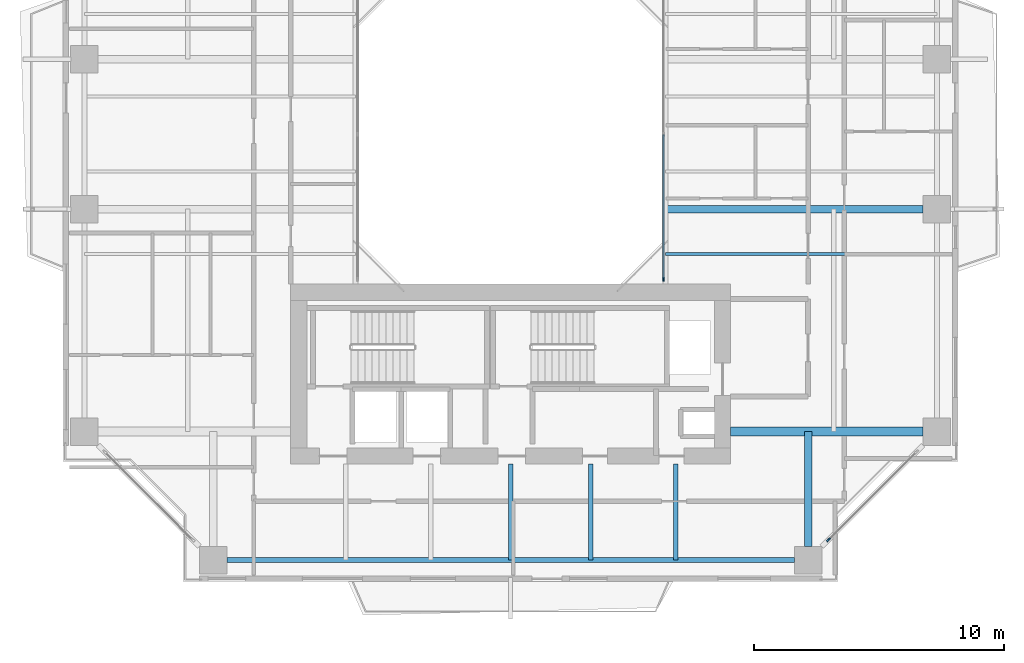
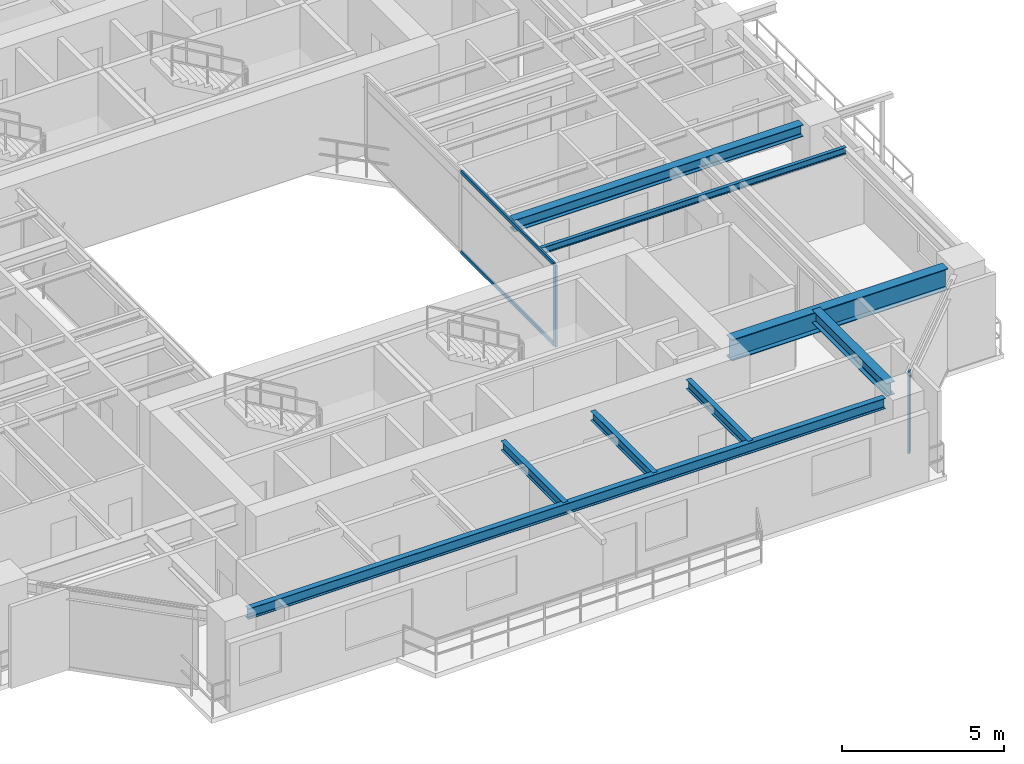
# One storey, part 4 of 17: 8 beams, 4 members, 2 elements without a shape of their own.
"""IFC4 building model written with IfcOpenShell, lengths in metres."""

import ifcopenshell
import ifcopenshell.guid

model = None  # the IFC model being written
_history = None  # IfcOwnerHistory: only IFC2X3 demands one
_inside = {}  # id of a spatial element -> (the spatial element, [elements in it])
_under = {}  # id of a project, library or spatial element -> (it, [spatial elements below it])
_declared = {}  # id of a project -> (the project, [libraries it declares])
_typed = {}  # id of a type object -> (the type object, [elements of that type])
_made_of = {}  # id of a material, layer set ... -> (it, [elements and type objects made of it])


def new_model(schema):
    """Start an empty IFC model of exactly this schema.

    Asked for "IFC4X3", IfcOpenShell would pick the latest addendum, in which some entities
    have other attributes; the version numbers below select the first issue.
    IFC2X3 requires an IfcOwnerHistory on every rooted entity: one is made here for all.
    """
    global model, _history
    if schema == "IFC4X3":
        model = ifcopenshell.file(schema_version=(4, 3, 0, 0))
    else:
        model = ifcopenshell.file(schema=schema)
    _inside.clear()
    _under.clear()
    _declared.clear()
    _typed.clear()
    _made_of.clear()
    _history = None
    if model.schema == "IFC2X3":
        org = make("IfcOrganization", Name="unknown")
        user = make(
            "IfcPersonAndOrganization",
            ThePerson=make("IfcPerson", FamilyName="unknown"),
            TheOrganization=org,
        )
        app = make(
            "IfcApplication",
            ApplicationDeveloper=org,
            Version="unknown",
            ApplicationFullName="unknown",
            ApplicationIdentifier="unknown",
        )
        _history = make(
            "IfcOwnerHistory",
            OwningUser=user,
            OwningApplication=app,
            ChangeAction="ADDED",
            CreationDate=0,
        )
    return model


def make(cls, **values):
    """One entity of the class cls with the attributes given. An attribute that is None is left unset."""
    return model.create_entity(
        cls, **{name: value for name, value in values.items() if value is not None}
    )


def rooted(cls, **values):
    """An entity with a GlobalId (a new one), such as an element, a storey or a relation."""
    return make(cls, GlobalId=ifcopenshell.guid.new(), OwnerHistory=_history, **values)


def si_unit(unit_type, name, prefix=None):
    """IfcSIUnit, for example si_unit("LENGTHUNIT", "METRE", prefix="MILLI")."""
    return make("IfcSIUnit", UnitType=unit_type, Prefix=prefix, Name=name)


def assignment(units):
    """IfcUnitAssignment: the units of a project."""
    return None if units is None else make("IfcUnitAssignment", Units=units)


def point(xyz):
    """IfcCartesianPoint."""
    return None if xyz is None else make("IfcCartesianPoint", Coordinates=xyz)


def direction(xyz):
    """IfcDirection."""
    return None if xyz is None else make("IfcDirection", DirectionRatios=xyz)


def frame(location, z_axis=None, x_axis=None):
    """IfcAxis2Placement3D, a coordinate frame: its origin and axes. An axis left out is left unset."""
    return make(
        "IfcAxis2Placement3D",
        Location=point(location),
        Axis=direction(z_axis),
        RefDirection=direction(x_axis),
    )


def frame_2d(location, x_axis=None):
    """IfcAxis2Placement2D, a coordinate frame in the plane: its origin and x axis."""
    return make(
        "IfcAxis2Placement2D", Location=point(location), RefDirection=direction(x_axis)
    )


def origin():
    """The frame at (0, 0, 0) with its axes left unset."""
    return frame((0.0, 0.0, 0.0))


def origin_2d():
    """The frame at (0, 0) in the plane with its x axis left unset."""
    return frame_2d((0.0, 0.0))


def place(relative_to, where):
    """IfcLocalPlacement: puts the frame where relative to a parent placement (None: the world)."""
    return make(
        "IfcLocalPlacement", PlacementRelTo=relative_to, RelativePlacement=where
    )


def context(
    kind, dimensions, precision=None, world=None, true_north=None, identifier=None
):
    """IfcGeometricRepresentationContext, for example the 3D "Model" context."""
    return make(
        "IfcGeometricRepresentationContext",
        ContextIdentifier=identifier,
        ContextType=kind,
        CoordinateSpaceDimension=dimensions,
        Precision=precision,
        WorldCoordinateSystem=world,
        TrueNorth=true_north,
    )


def subcontext(parent, identifier, kind, view, scale=None):
    """IfcGeometricRepresentationSubContext, for example "Body" below "Model"."""
    return make(
        "IfcGeometricRepresentationSubContext",
        ContextIdentifier=identifier,
        ContextType=kind,
        ParentContext=parent,
        TargetScale=scale,
        TargetView=view,
    )


def project(units=None, contexts=None):
    """IfcProject with its units and contexts."""
    return rooted(
        "IfcProject",
        Name="project",
        RepresentationContexts=contexts,
        UnitsInContext=assignment(units),
    )


def spatial(cls, under=None, at=None, **own):
    """A site, building, storey or space (cls), placed at a placement, below another one or the project."""
    s = rooted(cls, ObjectPlacement=at, **own)
    if under is not None:
        _under.setdefault(under.id(), (under, []))[1].append(s)
    return s


def profile(cls, at=None, kind="AREA", **sizes):
    """A parametric profile (cls). Its sizes go by their IFC names, for example OverallWidth=200.0."""
    return make(cls, ProfileType=kind, Position=at, **sizes)


def rectangle(**sizes):
    """IfcRectangleProfileDef."""
    return profile("IfcRectangleProfileDef", **sizes)


def i_section(**sizes):
    """IfcIShapeProfileDef."""
    return profile("IfcIShapeProfileDef", **sizes)


def extrude(swept, where, along, depth):
    """IfcExtrudedAreaSolid: the profile swept, set in the frame where, extruded along a direction by depth."""
    return make(
        "IfcExtrudedAreaSolid",
        SweptArea=swept,
        Position=where,
        ExtrudedDirection=direction(along),
        Depth=depth,
    )


def shape(context_of_items, identifier, shape_type, items):
    """IfcShapeRepresentation: the items that make up one representation, for example the "Body"."""
    return make(
        "IfcShapeRepresentation",
        ContextOfItems=context_of_items,
        RepresentationIdentifier=identifier,
        RepresentationType=shape_type,
        Items=items,
    )


def source(mapping_origin, context_of_items, identifier, shape_type, items):
    """IfcRepresentationMap: a shape defined once, which mapped items show again and again."""
    return make(
        "IfcRepresentationMap",
        MappingOrigin=mapping_origin,
        MappedRepresentation=shape(context_of_items, identifier, shape_type, items),
    )


def transform(
    local_origin,
    x_axis=None,
    y_axis=None,
    z_axis=None,
    scale=None,
    scale2=None,
    scale3=None,
    uniform=True,
):
    """IfcCartesianTransformationOperator3D, or its non-uniform kind. x_axis, y_axis, z_axis: its Axis1, 2, 3."""
    if uniform:
        return make(
            "IfcCartesianTransformationOperator3D",
            Axis1=direction(x_axis),
            Axis2=direction(y_axis),
            LocalOrigin=point(local_origin),
            Scale=scale,
            Axis3=direction(z_axis),
        )
    return make(
        "IfcCartesianTransformationOperator3DnonUniform",
        Axis1=direction(x_axis),
        Axis2=direction(y_axis),
        LocalOrigin=point(local_origin),
        Scale=scale,
        Axis3=direction(z_axis),
        Scale2=scale2,
        Scale3=scale3,
    )


def mapped(mapping_source, mapping_target):
    """IfcMappedItem: shows the shape of a source again, moved by a transform."""
    return make(
        "IfcMappedItem", MappingSource=mapping_source, MappingTarget=mapping_target
    )


def material(Name=None, Category=None):
    """IfcMaterial."""
    return make("IfcMaterial", Name=Name, Category=Category)


def layer(
    of_material, thickness, ventilated=None, Name=None, Category=None, Priority=None
):
    """IfcMaterialLayer: one layer of a wall or slab, of a material (None: an air gap)."""
    return make(
        "IfcMaterialLayer",
        Material=of_material,
        LayerThickness=thickness,
        IsVentilated=ventilated,
        Name=Name,
        Category=Category,
        Priority=Priority,
    )


def layer_set(layers, Name=None):
    """IfcMaterialLayerSet."""
    return make("IfcMaterialLayerSet", MaterialLayers=layers, LayerSetName=Name)


def material_profile(
    of_material, cross_section, Name=None, Category=None, Priority=None
):
    """IfcMaterialProfile: a cross section and its material."""
    return make(
        "IfcMaterialProfile",
        Name=Name,
        Material=of_material,
        Profile=cross_section,
        Priority=Priority,
        Category=Category,
    )


def profile_set(profiles, Name=None, composite=None):
    """IfcMaterialProfileSet."""
    return make(
        "IfcMaterialProfileSet",
        Name=Name,
        MaterialProfiles=profiles,
        CompositeProfile=composite,
    )


def made_of(thing, what):
    """Note that an element or type object is made of a material, layer set ...; save() writes the relation."""
    if what is not None:
        _made_of.setdefault(what.id(), (what, []))[1].append(thing)
    return thing


def type_object(cls, material=None, **own):
    """A type object (cls), such as IfcWallType, which elements share."""
    return made_of(rooted(cls, **own), material)


def element(
    cls,
    number,
    at=None,
    inside=None,
    cuts=None,
    type_object=None,
    material=None,
    context=None,
    identifier="Body",
    shape_type=None,
    held_by="IfcProductDefinitionShape",
    body=None,
    shapes=None,
    **own,
):
    """One element of the class cls, such as IfcWall. Its Tag is "e" and its number.

    at: its placement. inside: the storey or other place that contains it. cuts: it is an
    opening in that element (IfcRelVoidsElement). A single representation is given by context,
    identifier, shape_type and body (its items); several are given by shapes. held_by: the class
    of the entity that holds the representations. save() writes the other relations.
    """
    e = rooted(cls, Tag="e%d" % number, ObjectPlacement=at, **own)
    if body is not None:
        shapes = [shape(context, identifier, shape_type, body)]
    if shapes is not None:
        e.Representation = make(held_by, Representations=shapes)
    if inside is not None:
        _inside.setdefault(inside.id(), (inside, []))[1].append(e)
    if cuts is not None:
        rooted(
            "IfcRelVoidsElement", RelatingBuildingElement=cuts, RelatedOpeningElement=e
        )
    if type_object is not None:
        _typed.setdefault(type_object.id(), (type_object, []))[1].append(e)
    return made_of(e, material)


def aggregate(whole, parts):
    """IfcRelAggregates: a whole, such as a stair, and the parts it consists of."""
    return rooted("IfcRelAggregates", RelatingObject=whole, RelatedObjects=parts)


def save(model, path):
    """Write the relations noted so far, then the file.

    IfcRelAggregates (storeys below a building ...), IfcRelContainedInSpatialStructure (elements
    in a storey), IfcRelDefinesByType, IfcRelAssociatesMaterial and IfcRelDeclares: one each for
    every whole, place, type object, material and project.
    """
    for whole, parts in _under.values():
        aggregate(whole, parts)
    for where, things in _inside.values():
        rooted(
            "IfcRelContainedInSpatialStructure",
            RelatedElements=things,
            RelatingStructure=where,
        )
    for kind, things in _typed.values():
        rooted("IfcRelDefinesByType", RelatedObjects=things, RelatingType=kind)
    for what, things in _made_of.values():
        rooted("IfcRelAssociatesMaterial", RelatedObjects=things, RelatingMaterial=what)
    for by, libraries in _declared.values():
        rooted("IfcRelDeclares", RelatingContext=by, RelatedDefinitions=libraries)
    model.write(path)


model = new_model("IFC4")

# Units and contexts
model_context = context("Model", 3, precision=1e-05, world=origin(), true_north=direction((0.0, 1.0)))
body_context = subcontext(model_context, "Body", "Model", "MODEL_VIEW")
ifc_project = project(units=[si_unit("LENGTHUNIT", "METRE"), si_unit("AREAUNIT", "SQUARE_METRE"), si_unit("VOLUMEUNIT", "CUBIC_METRE"), si_unit("PLANEANGLEUNIT", "RADIAN"), si_unit("MASSUNIT", "GRAM", prefix="KILO"), si_unit("THERMODYNAMICTEMPERATUREUNIT", "KELVIN"), si_unit("POWERUNIT", "WATT")], contexts=[model_context])

# Site, building, storey
site_placement = place(None, origin())
site = spatial("IfcSite", under=ifc_project, at=site_placement, CompositionType="ELEMENT")
building_placement = place(site_placement, origin())
building = spatial("IfcBuilding", under=site, at=building_placement, Name="Qiaomeng Ring Towers", CompositionType="ELEMENT")
storey_placement = place(building_placement, frame((0.0, 0.0, 126.25)))
storey = spatial("IfcBuildingStorey", under=building, at=storey_placement, Name="L36", CompositionType="ELEMENT", Elevation=126.25)

# Beams
ifc_material_1 = material(Name="Steel Q355B", Category="steel")
ifc_material_profile_1 = material_profile(ifc_material_1, i_section(OverallWidth=0.199951171875, OverallDepth=0.39990234375, WebThickness=0.008056640625, FlangeThickness=0.012939453125, FilletRadius=0.01611328125, at=origin_2d()), Name="HN 400x200x8x13")
ifc_profile_set_1 = profile_set([ifc_material_profile_1], Name="Steel Q355B")
beam_type_1 = type_object("IfcBeamType", Name="STR-BM-HN400", PredefinedType="SPANDREL", material=ifc_profile_set_1)
shared_shape_1 = source(origin(), body_context, "Body", "SweptSolid", [
    extrude(i_section(OverallWidth=0.199951171875, OverallDepth=0.39990234375, WebThickness=0.008056640625, FlangeThickness=0.012939453125, FilletRadius=0.01611328125, at=origin_2d()), origin(), (0.0, 0.0, 1.0), 22.7021484375),
])
beam_1_placement = place(storey_placement, frame((7.64892578125, 5.949951171875, 2.8701171875), z_axis=(1.0, 0.0, 0.0), x_axis=(0.0, 1.0, 0.0)))
element("IfcBeam", 1, at=beam_1_placement, inside=storey, type_object=beam_type_1, Name="L36 beam STR-SP-L36-T1-S1-S2", PredefinedType="SPANDREL", context=body_context, shape_type="MappedRepresentation", body=[
    mapped(shared_shape_1, transform((0.0, 0.0, 0.0), x_axis=(1.0, 0.0, 0.0), y_axis=(0.0, 1.0, 0.0), z_axis=(0.0, 0.0, 1.0), scale=1.0)),
])
ifc_material_2 = material(Name="Steel Q390GJC", Category="steel")
ifc_material_profile_2 = material_profile(ifc_material_2, i_section(OverallWidth=0.35009765625, OverallDepth=0.800048828125, WebThickness=0.01611328125, FlangeThickness=0.028076171875, at=origin_2d()), Name="WH 800x350x16x28")
ifc_profile_set_2 = profile_set([ifc_material_profile_2], Name="Steel Q390GJC")
beam_type_2 = type_object("IfcBeamType", Name="STR-BM-WH800", PredefinedType="BEAM", material=ifc_profile_set_2)
shared_shape_2 = source(origin(), body_context, "Body", "SweptSolid", [
    extrude(i_section(OverallWidth=0.35009765625, OverallDepth=0.800048828125, WebThickness=0.01611328125, FlangeThickness=0.028076171875, at=origin_2d()), origin(), (0.0, 0.0, 1.0), 7.700927734375),
])
beam_2_placement = place(storey_placement, frame((27.800048828125, 11.10009765625, 2.669921875), z_axis=(1.0, 0.0, 0.0), x_axis=(0.0, 1.0, 0.0)))
element("IfcBeam", 2, at=beam_2_placement, inside=storey, type_object=beam_type_2, Name="L36 beam STR-BM-L36-T1-RAD-E1", PredefinedType="BEAM", context=body_context, shape_type="MappedRepresentation", body=[
    mapped(shared_shape_2, transform((0.0, 0.0, 0.0), x_axis=(1.0, 0.0, 0.0), y_axis=(0.0, 1.0, 0.0), z_axis=(0.0, 0.0, 1.0), scale=1.0)),
])
ifc_material_profile_3 = material_profile(ifc_material_1, i_section(OverallWidth=0.300048828125, OverallDepth=0.488037109375, WebThickness=0.010986328125, FlangeThickness=0.01806640625, FilletRadius=0.02587890625, at=origin_2d()), Name="HM 488x300x11x18")
ifc_profile_set_3 = profile_set([ifc_material_profile_3], Name="Steel Q355B")
beam_type_3 = type_object("IfcBeamType", Name="STR-BM-HM488", PredefinedType="BEAM", material=ifc_profile_set_3)
shared_shape_3 = source(origin(), body_context, "Body", "SweptSolid", [
    extrude(i_section(OverallWidth=0.300048828125, OverallDepth=0.488037109375, WebThickness=0.010986328125, FlangeThickness=0.01806640625, FilletRadius=0.02587890625, at=origin_2d()), origin(), (0.0, 0.0, 1.0), 4.60107421875),
])
beam_3_placement = place(storey_placement, frame((30.89990234375, 6.4990234375, 2.825927734375), z_axis=(0.0, 1.0, 0.0), x_axis=(-1.0, 0.0, 0.0)))
element("IfcBeam", 3, at=beam_3_placement, inside=storey, type_object=beam_type_3, Name="L36 beam STR-BM-L36-T1-RAD-S2", PredefinedType="BEAM", context=body_context, shape_type="MappedRepresentation", body=[
    mapped(shared_shape_3, transform((0.0, 0.0, 0.0), x_axis=(1.0, 0.0, 0.0), y_axis=(0.0, 1.0, 0.0), z_axis=(0.0, 0.0, 1.0), scale=1.0)),
])
ifc_material_profile_4 = material_profile(ifc_material_1, i_section(OverallWidth=0.300048828125, OverallDepth=0.43994140625, WebThickness=0.010986328125, FlangeThickness=0.01806640625, FilletRadius=0.02392578125, at=origin_2d()), Name="HM 440x300x11x18")
ifc_profile_set_4 = profile_set([ifc_material_profile_4], Name="Steel Q355B")
beam_type_4 = type_object("IfcBeamType", Name="STR-BM-HM440", PredefinedType="BEAM", material=ifc_profile_set_4)
shared_shape_4 = source(origin(), body_context, "Body", "SweptSolid", [
    extrude(i_section(OverallWidth=0.300048828125, OverallDepth=0.43994140625, WebThickness=0.010986328125, FlangeThickness=0.01806640625, FilletRadius=0.02392578125, at=origin_2d()), origin(), (0.0, 0.0, 1.0), 10.301025390625),
])
beam_4_placement = place(storey_placement, frame((25.199951171875, 20.0, 2.85009765625), z_axis=(1.0, 0.0, 0.0), x_axis=(0.0, 1.0, 0.0)))
element("IfcBeam", 4, at=beam_4_placement, inside=storey, type_object=beam_type_4, Name="L36 beam STR-BM-L36-T1-RAD-E2", PredefinedType="BEAM", context=body_context, shape_type="MappedRepresentation", body=[
    mapped(shared_shape_4, transform((0.0, 0.0, 0.0), x_axis=(1.0, 0.0, 0.0), y_axis=(0.0, 1.0, 0.0), z_axis=(0.0, 0.0, 1.0), scale=1.0)),
])
ifc_material_profile_5 = material_profile(ifc_material_1, i_section(OverallWidth=0.175048828125, OverallDepth=0.35009765625, WebThickness=0.007080078125, FlangeThickness=0.010986328125, FilletRadius=0.013916015625, at=origin_2d()), Name="HN 350x175x7x11")
ifc_profile_set_5 = profile_set([ifc_material_profile_5], Name="Steel Q355B")
beam_type_5 = type_object("IfcBeamType", Name="STR-BM-HN350", PredefinedType="JOIST", material=ifc_profile_set_5)
shared_shape_5 = source(origin(), body_context, "Body", "SweptSolid", [
    extrude(i_section(OverallWidth=0.175048828125, OverallDepth=0.35009765625, WebThickness=0.007080078125, FlangeThickness=0.010986328125, FilletRadius=0.013916015625, at=origin_2d()), origin(), (0.0, 0.0, 1.0), 3.85009765625),
])
for number, where, z_axis, x_axis, name in (
    (5, (19.0, 5.949951171875, 2.89501953125), (0.0, 1.0, 0.0), (-1.0, 0.0, 0.0), "L36 beam STR-JST-L36-T1S-3"),
    (6, (22.199951171875, 5.949951171875, 2.89501953125), (0.0, 1.0, 0.0), (-1.0, 0.0, 0.0), "L36 beam STR-JST-L36-T1S-4"),
    (7, (25.60009765625, 5.949951171875, 2.89501953125), (0.0, 1.0, 0.0), (-1.0, 0.0, 0.0), "L36 beam STR-JST-L36-T1S-5"),
):
    element("IfcBeam", number, at=place(storey_placement, frame(where, z_axis=z_axis, x_axis=x_axis)), inside=storey, type_object=beam_type_5, Name=name, PredefinedType="JOIST", context=body_context, shape_type="MappedRepresentation", body=[
        mapped(shared_shape_5, transform((0.0, 0.0, 0.0), x_axis=(1.0, 0.0, 0.0), y_axis=(0.0, 1.0, 0.0), z_axis=(0.0, 0.0, 1.0), scale=1.0)),
    ])
ifc_material_profile_6 = material_profile(ifc_material_1, i_section(OverallWidth=0.125, OverallDepth=0.25, WebThickness=0.006103515625, FlangeThickness=0.009033203125, FilletRadius=0.011962890625, at=origin_2d()), Name="HN 250x125x6x9")
ifc_profile_set_6 = profile_set([ifc_material_profile_6], Name="Steel Q355B")
beam_type_6 = type_object("IfcBeamType", Name="STR-BM-HN250", PredefinedType="JOIST", material=ifc_profile_set_6)
shared_shape_6 = source(origin(), body_context, "Body", "SweptSolid", [
    extrude(i_section(OverallWidth=0.125, OverallDepth=0.25, WebThickness=0.006103515625, FlangeThickness=0.009033203125, FilletRadius=0.011962890625, at=origin_2d()), origin(), (0.0, 0.0, 1.0), 10.85009765625),
])
beam_5_placement = place(storey_placement, frame((25.199951171875, 18.199951171875, 2.945068359375), z_axis=(1.0, 0.0, 0.0), x_axis=(0.0, 1.0, 0.0)))
element("IfcBeam", 8, at=beam_5_placement, inside=storey, type_object=beam_type_6, Name="L36 beam STR-JST-L36-T1E-1", PredefinedType="JOIST", context=body_context, shape_type="MappedRepresentation", body=[
    mapped(shared_shape_6, transform((0.0, 0.0, 0.0), x_axis=(1.0, 0.0, 0.0), y_axis=(0.0, 1.0, 0.0), z_axis=(0.0, 0.0, 1.0), scale=1.0)),
])

# Curtain wall, members
ifc_material_3 = material(Name="Fluorocarbon dark-grey aluminium", Category="aluminium")
ifc_layer_1 = layer(ifc_material_3, 0.139892578125, Name="Fluorocarbon dark-grey aluminium")
ifc_layer_set_1 = layer_set([ifc_layer_1], Name="Fluorocarbon dark-grey aluminium")
curtain_wall_type_1 = type_object("IfcCurtainWallType", Name="ARC-CW-4", PredefinedType="NOTDEFINED", material=ifc_layer_set_1)
curtain_wall_1_placement = place(storey_placement, origin())
curtain_wall_1 = element("IfcCurtainWall", 9, at=curtain_wall_1_placement, inside=storey, type_object=curtain_wall_type_1, Name="L36 Curtain Wall CW4", PredefinedType="NOTDEFINED")
ifc_material_profile_7 = material_profile(ifc_material_3, rectangle(XDim=0.06494140625, YDim=0.159912109375, at=origin_2d()), Name="ALU MULL 65x160")
ifc_profile_set_7 = profile_set([ifc_material_profile_7], Name="Fluorocarbon dark-grey aluminium")
member_type_1 = type_object("IfcMemberType", Name="ARC-CWM-140", PredefinedType="MULLION", material=ifc_profile_set_7)
shared_shape_7 = source(origin(), body_context, "Body", "SweptSolid", [
    extrude(rectangle(XDim=0.06494140625, YDim=0.159912109375, at=origin_2d()), origin(), (0.0, 0.0, 1.0), 3.070068359375),
])
member_1_placement = place(storey_placement, frame((25.1201171875, 17.1826171875, 0.0), z_axis=(0.0, 0.0, 1.0), x_axis=(-1.0, 0.0, 0.0)))
member_1 = element("IfcMember", 10, at=member_1_placement, type_object=member_type_1, Name="CW4 mullion 1", PredefinedType="MULLION", context=body_context, shape_type="MappedRepresentation", body=[
    mapped(shared_shape_7, transform((0.0, 0.0, 0.0), x_axis=(1.0, 0.0, 0.0), y_axis=(0.0, 1.0, 0.0), z_axis=(0.0, 0.0, 1.0), scale=1.0)),
])
ifc_material_profile_8 = material_profile(ifc_material_3, rectangle(XDim=0.06494140625, YDim=0.1298828125, at=origin_2d()), Name="ALU TRAN 65x130")
ifc_profile_set_8 = profile_set([ifc_material_profile_8], Name="Fluorocarbon dark-grey aluminium")
member_type_2 = type_object("IfcMemberType", Name="ARC-CWT-120", PredefinedType="USERDEFINED", material=ifc_profile_set_8)
shared_shape_8 = source(origin(), body_context, "Body", "SweptSolid", [
    extrude(rectangle(XDim=0.06494140625, YDim=0.1298828125, at=origin_2d()), origin(), (0.0, 0.0, 1.0), 5.75244140625),
])
member_2_placement = place(storey_placement, frame((25.1201171875, 17.215087890625, 0.032470703125), z_axis=(0.0, 1.0, 0.0), x_axis=(-1.0, 0.0, 0.0)))
member_2 = element("IfcMember", 11, at=member_2_placement, type_object=member_type_2, Name="CW4 transom 1.1", ObjectType="TRANSOM", PredefinedType="USERDEFINED", context=body_context, shape_type="MappedRepresentation", body=[
    mapped(shared_shape_8, transform((0.0, 0.0, 0.0), x_axis=(1.0, 0.0, 0.0), y_axis=(0.0, 1.0, 0.0), z_axis=(0.0, 0.0, 1.0), scale=1.0)),
])
member_3_placement = place(storey_placement, frame((25.1201171875, 17.215087890625, 3.03759765625), z_axis=(0.0, 1.0, 0.0), x_axis=(-1.0, 0.0, 0.0)))
member_3 = element("IfcMember", 12, at=member_3_placement, type_object=member_type_2, Name="CW4 transom 1.2", ObjectType="TRANSOM", PredefinedType="USERDEFINED", context=body_context, shape_type="MappedRepresentation", body=[
    mapped(shared_shape_8, transform((0.0, 0.0, 0.0), x_axis=(1.0, 0.0, 0.0), y_axis=(0.0, 1.0, 0.0), z_axis=(0.0, 0.0, 1.0), scale=1.0)),
])
aggregate(curtain_wall_1, [member_1, member_2, member_3])

# Curtain wall, member
ifc_layer_2 = layer(ifc_material_3, 0.14990234375, Name="Fluorocarbon dark-grey aluminium")
ifc_layer_set_2 = layer_set([ifc_layer_2], Name="Fluorocarbon dark-grey aluminium")
curtain_wall_type_2 = type_object("IfcCurtainWallType", Name="ARC-CW-3", PredefinedType="NOTDEFINED", material=ifc_layer_set_2)
curtain_wall_2_placement = place(storey_placement, origin())
curtain_wall_2 = element("IfcCurtainWall", 13, at=curtain_wall_2_placement, inside=storey, type_object=curtain_wall_type_2, Name="L36 Curtain Wall CW3", PredefinedType="NOTDEFINED")
ifc_material_profile_9 = material_profile(ifc_material_3, rectangle(XDim=0.070068359375, YDim=0.179931640625, at=origin_2d()), Name="ALU MULL 70x180")
ifc_profile_set_9 = profile_set([ifc_material_profile_9], Name="Fluorocarbon dark-grey aluminium")
member_type_3 = type_object("IfcMemberType", Name="ARC-CWM-160", PredefinedType="MULLION", material=ifc_profile_set_9)
shared_shape_9 = source(origin(), body_context, "Body", "SweptSolid", [
    extrude(rectangle(XDim=0.070068359375, YDim=0.179931640625, at=origin_2d()), origin(), (0.0, 0.0, 1.0), 3.070068359375),
])
member_4_placement = place(storey_placement, frame((31.71484375, 6.7646484375, 0.0), z_axis=(0.0, 0.0, 1.0), x_axis=(-0.707106781187, 0.707106781187, 0.0)))
member_4 = element("IfcMember", 14, at=member_4_placement, type_object=member_type_3, Name="CW3 mullion 1", PredefinedType="MULLION", context=body_context, shape_type="MappedRepresentation", body=[
    mapped(shared_shape_9, transform((0.0, 0.0, 0.0), x_axis=(1.0, 0.0, 0.0), y_axis=(0.0, 1.0, 0.0), z_axis=(0.0, 0.0, 1.0), scale=1.0)),
])
aggregate(curtain_wall_2, [member_4])

save(model, "model.ifc")
